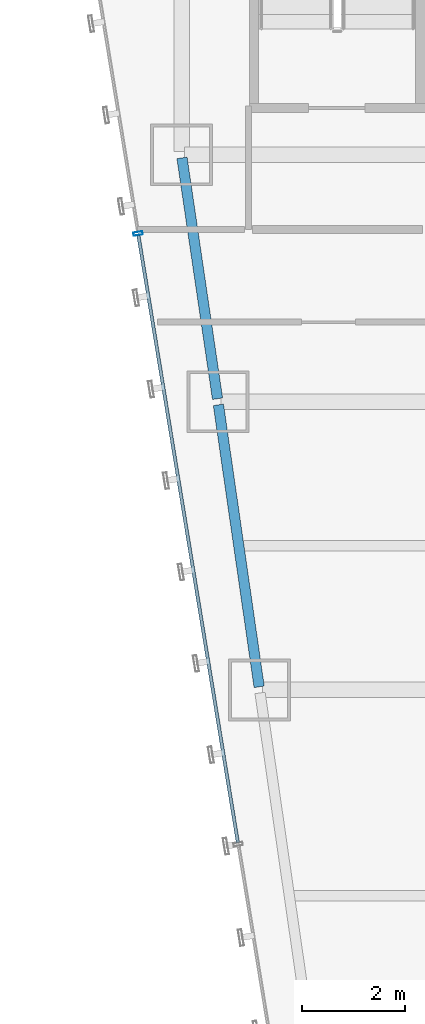
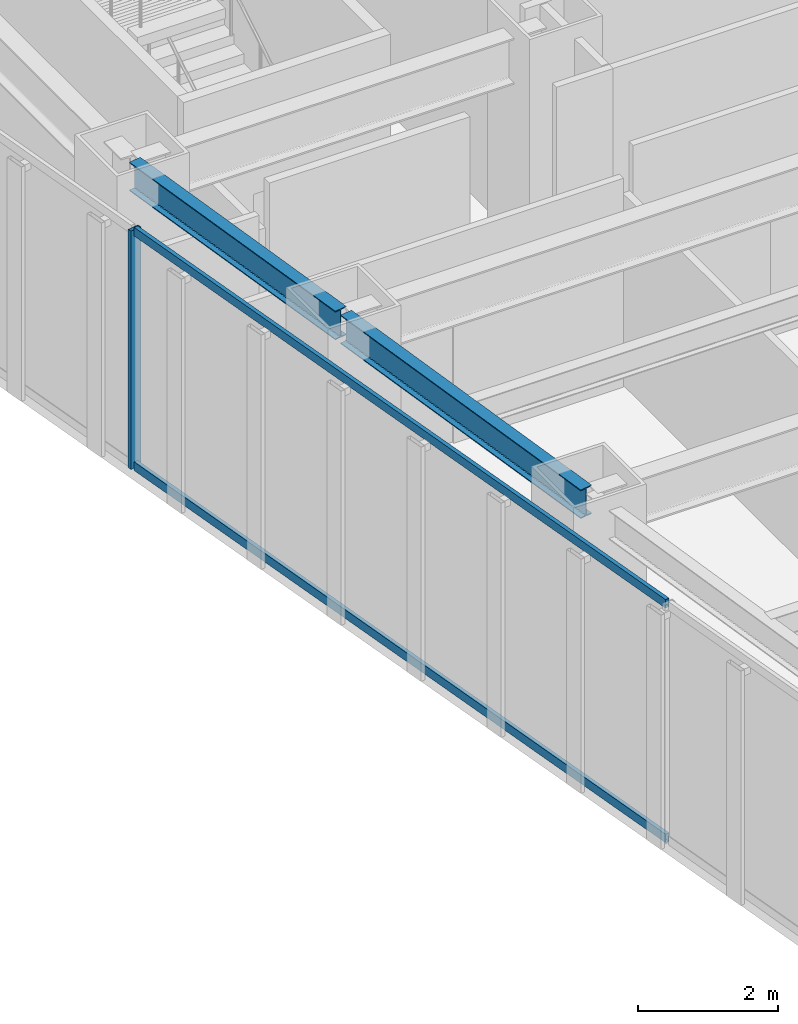
# One storey, part 22 of 47: 3 members, 2 beams, 1 element without a shape of its own.
"""IFC4 building model written with IfcOpenShell, lengths in metres."""

from ifc_helpers import new_model, si_unit, direction, frame, origin, origin_2d, place, context, subcontext, project, spatial, hollow_rectangle, i_section, extrude, material, material_profile, profile_set, type_object, element, aggregate, save


model = new_model("IFC4")

# Units and contexts
model_context = context("Model", 3, precision=1e-05, world=origin(), true_north=direction((0.0, 1.0)))
body_context = subcontext(model_context, "Body", "Model", "MODEL_VIEW")
ifc_project = project(units=[si_unit("LENGTHUNIT", "METRE"), si_unit("AREAUNIT", "SQUARE_METRE"), si_unit("VOLUMEUNIT", "CUBIC_METRE"), si_unit("PLANEANGLEUNIT", "RADIAN"), si_unit("MASSUNIT", "GRAM", prefix="KILO")], contexts=[model_context])

# Site, building, storey
site_placement = place(None, origin())
site = spatial("IfcSite", under=ifc_project, at=site_placement, CompositionType="ELEMENT")
building_placement = place(site_placement, origin())
building = spatial("IfcBuilding", under=site, at=building_placement, Name="Saevonmaru Cultural Tower", CompositionType="ELEMENT")
storey_placement = place(building_placement, frame((0.0, 0.0, 42.800048828125)))
storey = spatial("IfcBuildingStorey", under=building, at=storey_placement, Name="L08", CompositionType="ELEMENT", Elevation=42.800048828125)

# Beams
ifc_material_1 = material(Name="Steel SM355", Category="steel")
ifc_material_profile_1 = material_profile(ifc_material_1, i_section(OverallWidth=0.199951171875, OverallDepth=0.5, WebThickness=0.010009765625, FlangeThickness=0.01611328125, FilletRadius=0.02001953125, at=origin_2d()), Name="H-500x200x10x16")
ifc_profile_set_1 = profile_set([ifc_material_profile_1], Name="Steel SM355")
beam_type = type_object("IfcBeamType", Name="BM-SP-H500", PredefinedType="SPANDREL", material=ifc_profile_set_1)
beam_1_placement = place(storey_placement, frame((8.308349609375, 32.059326171875, 3.89990234375), z_axis=(-0.142964121327, 0.989727871697, 0.0), x_axis=(-0.989727871697, -0.142964121327, 0.0)))
element("IfcBeam", 1, at=beam_1_placement, inside=storey, type_object=beam_type, Name="L08 West Splayed Spandrel 5", PredefinedType="SPANDREL", context=body_context, shape_type="SweptSolid", body=[
    extrude(i_section(OverallWidth=0.199951171875, OverallDepth=0.5, WebThickness=0.010009765625, FlangeThickness=0.01611328125, FilletRadius=0.02001953125, at=origin_2d()), origin(), (0.0, 0.0, 1.0), 5.5380859375),
])
beam_2_placement = place(storey_placement, frame((7.499267578125, 37.659423828125, 3.89990234375), z_axis=(-0.145912860028, 0.989297446312, 0.0), x_axis=(-0.989297446312, -0.145912860028, 0.0)))
element("IfcBeam", 2, at=beam_2_placement, inside=storey, type_object=beam_type, Name="L08 West Splayed Spandrel 6", PredefinedType="SPANDREL", context=body_context, shape_type="SweptSolid", body=[
    extrude(i_section(OverallWidth=0.199951171875, OverallDepth=0.5, WebThickness=0.010009765625, FlangeThickness=0.01611328125, FilletRadius=0.02001953125, at=origin_2d()), origin(), (0.0, 0.0, 1.0), 4.731689453125),
])

# Curtain wall, members
ifc_material_2 = material(Name="Satin Bronze Anodised Aluminium", Category="aluminium")
curtain_wall_type = type_object("IfcCurtainWallType", Name="CW-TYP-A", PredefinedType="NOTDEFINED", material=ifc_material_2)
curtain_wall_placement = place(storey_placement, origin())
curtain_wall = element("IfcCurtainWall", 3, at=curtain_wall_placement, inside=storey, type_object=curtain_wall_type, Name="L08 Unitised Curtain Wall E12", PredefinedType="NOTDEFINED")
ifc_material_profile_2 = material_profile(ifc_material_2, hollow_rectangle(XDim=0.06494140625, YDim=0.179931640625, WallThickness=0.00390625, at=origin_2d()), Name="ALU-MULL-180x65x4")
ifc_profile_set_2 = profile_set([ifc_material_profile_2], Name="Satin Bronze Anodised Aluminium")
member_type_1 = type_object("IfcMemberType", Name="ML-CW-180x65", PredefinedType="MULLION", material=ifc_profile_set_2)
member_1_placement = place(storey_placement, frame((5.954833984375, 40.870361328125, 0.0), z_axis=(0.0, 0.0, 1.0), x_axis=(0.161708868641, -0.986838508472, 0.0)))
member_1 = element("IfcMember", 4, at=member_1_placement, type_object=member_type_1, Name="CW-TW-L08-E12 mullion 2", PredefinedType="MULLION", context=body_context, shape_type="SweptSolid", body=[
    extrude(hollow_rectangle(XDim=0.06494140625, YDim=0.179931640625, WallThickness=0.00390625, at=origin_2d()), origin(), (0.0, 0.0, 1.0), 4.14990234375),
])
ifc_material_profile_3 = material_profile(ifc_material_2, hollow_rectangle(XDim=0.06494140625, YDim=0.14990234375, WallThickness=0.00390625, at=origin_2d()), Name="ALU-TRAN-150x65x4")
ifc_profile_set_3 = profile_set([ifc_material_profile_3], Name="Satin Bronze Anodised Aluminium")
member_type_2 = type_object("IfcMemberType", Name="TR-CW-150x65", PredefinedType="USERDEFINED", material=ifc_profile_set_3)
member_2_placement = place(storey_placement, frame((5.960205078125, 40.83837890625, 0.032470703125), z_axis=(0.161701400727, -0.986839732177, 0.0), x_axis=(0.986839732177, 0.161701400727, 0.0)))
member_2 = element("IfcMember", 5, at=member_2_placement, type_object=member_type_2, Name="CW-TW-L08-E12 transom 2.1", ObjectType="TRANSOM", PredefinedType="USERDEFINED", context=body_context, shape_type="SweptSolid", body=[
    extrude(hollow_rectangle(XDim=0.06494140625, YDim=0.14990234375, WallThickness=0.00390625, at=origin_2d()), origin(), (0.0, 0.0, 1.0), 11.9638671875),
])
member_3_placement = place(storey_placement, frame((5.960205078125, 40.83837890625, 4.117431640625), z_axis=(0.161701400727, -0.986839732177, 0.0), x_axis=(0.986839732177, 0.161701400727, 0.0)))
member_3 = element("IfcMember", 6, at=member_3_placement, type_object=member_type_2, Name="CW-TW-L08-E12 transom 2.2", ObjectType="TRANSOM", PredefinedType="USERDEFINED", context=body_context, shape_type="SweptSolid", body=[
    extrude(hollow_rectangle(XDim=0.06494140625, YDim=0.14990234375, WallThickness=0.00390625, at=origin_2d()), origin(), (0.0, 0.0, 1.0), 11.9638671875),
])
aggregate(curtain_wall, [member_1, member_2, member_3])

save(model, "model.ifc")
